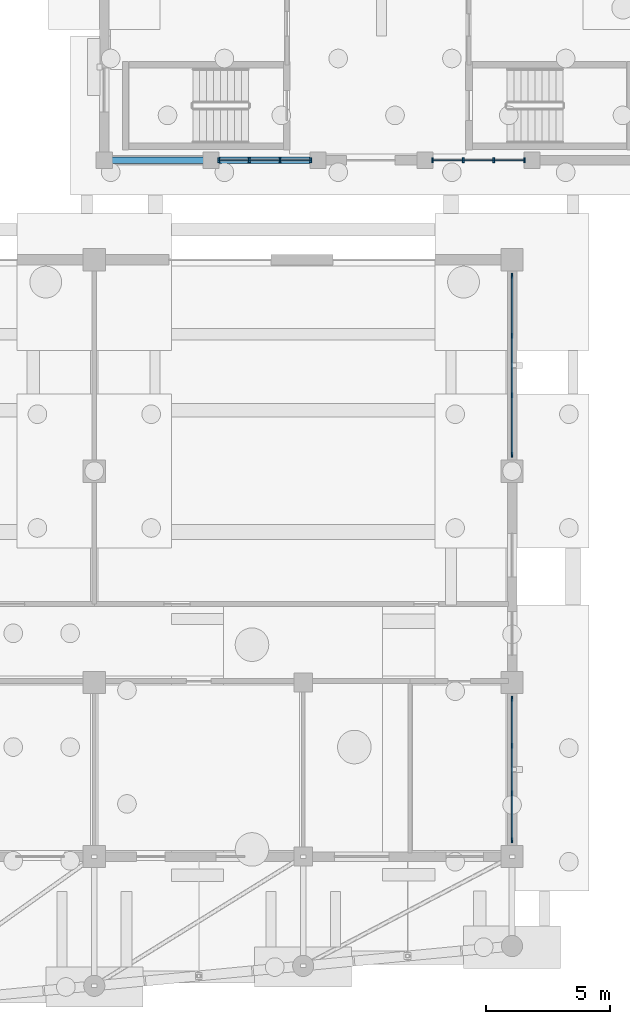
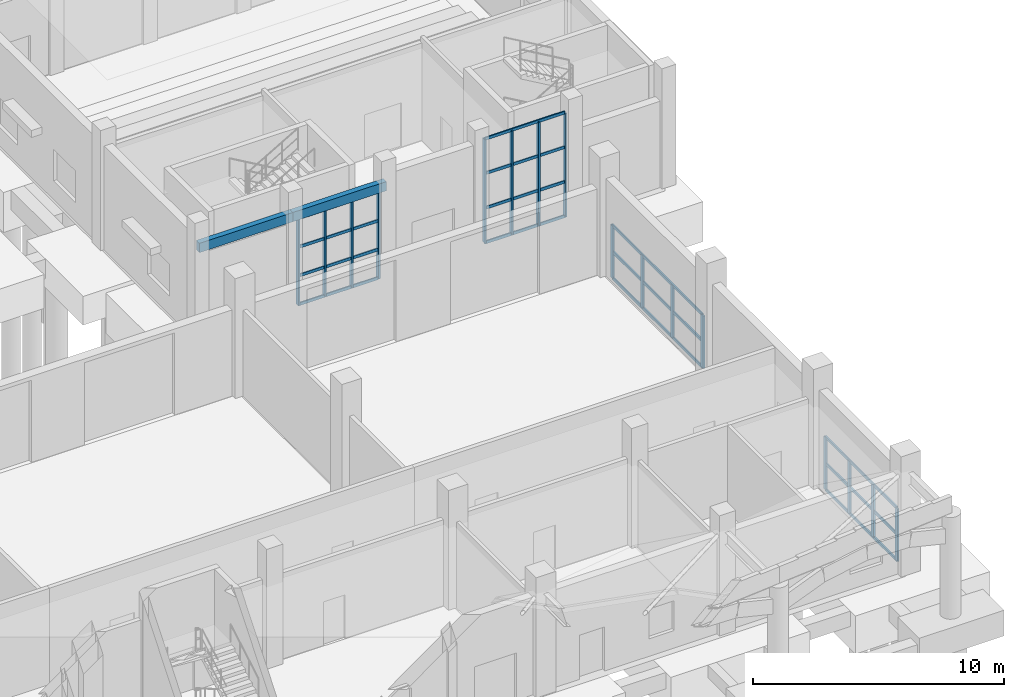
# One storey, part 19 of 60: 30 members, 2 beams, 4 elements without a shape of their own.
"""IFC4 building model written with IfcOpenShell, lengths in metres."""

import ifcopenshell
import ifcopenshell.guid

model = None  # the IFC model being written
_history = None  # IfcOwnerHistory: only IFC2X3 demands one
_inside = {}  # id of a spatial element -> (the spatial element, [elements in it])
_under = {}  # id of a project, library or spatial element -> (it, [spatial elements below it])
_declared = {}  # id of a project -> (the project, [libraries it declares])
_typed = {}  # id of a type object -> (the type object, [elements of that type])
_made_of = {}  # id of a material, layer set ... -> (it, [elements and type objects made of it])


def new_model(schema):
    """Start an empty IFC model of exactly this schema.

    Asked for "IFC4X3", IfcOpenShell would pick the latest addendum, in which some entities
    have other attributes; the version numbers below select the first issue.
    IFC2X3 requires an IfcOwnerHistory on every rooted entity: one is made here for all.
    """
    global model, _history
    if schema == "IFC4X3":
        model = ifcopenshell.file(schema_version=(4, 3, 0, 0))
    else:
        model = ifcopenshell.file(schema=schema)
    _inside.clear()
    _under.clear()
    _declared.clear()
    _typed.clear()
    _made_of.clear()
    _history = None
    if model.schema == "IFC2X3":
        org = make("IfcOrganization", Name="unknown")
        user = make(
            "IfcPersonAndOrganization",
            ThePerson=make("IfcPerson", FamilyName="unknown"),
            TheOrganization=org,
        )
        app = make(
            "IfcApplication",
            ApplicationDeveloper=org,
            Version="unknown",
            ApplicationFullName="unknown",
            ApplicationIdentifier="unknown",
        )
        _history = make(
            "IfcOwnerHistory",
            OwningUser=user,
            OwningApplication=app,
            ChangeAction="ADDED",
            CreationDate=0,
        )
    return model


def make(cls, **values):
    """One entity of the class cls with the attributes given. An attribute that is None is left unset."""
    return model.create_entity(
        cls, **{name: value for name, value in values.items() if value is not None}
    )


def rooted(cls, **values):
    """An entity with a GlobalId (a new one), such as an element, a storey or a relation."""
    return make(cls, GlobalId=ifcopenshell.guid.new(), OwnerHistory=_history, **values)


def si_unit(unit_type, name, prefix=None):
    """IfcSIUnit, for example si_unit("LENGTHUNIT", "METRE", prefix="MILLI")."""
    return make("IfcSIUnit", UnitType=unit_type, Prefix=prefix, Name=name)


def assignment(units):
    """IfcUnitAssignment: the units of a project."""
    return None if units is None else make("IfcUnitAssignment", Units=units)


def point(xyz):
    """IfcCartesianPoint."""
    return None if xyz is None else make("IfcCartesianPoint", Coordinates=xyz)


def direction(xyz):
    """IfcDirection."""
    return None if xyz is None else make("IfcDirection", DirectionRatios=xyz)


def frame(location, z_axis=None, x_axis=None):
    """IfcAxis2Placement3D, a coordinate frame: its origin and axes. An axis left out is left unset."""
    return make(
        "IfcAxis2Placement3D",
        Location=point(location),
        Axis=direction(z_axis),
        RefDirection=direction(x_axis),
    )


def frame_2d(location, x_axis=None):
    """IfcAxis2Placement2D, a coordinate frame in the plane: its origin and x axis."""
    return make(
        "IfcAxis2Placement2D", Location=point(location), RefDirection=direction(x_axis)
    )


def origin():
    """The frame at (0, 0, 0) with its axes left unset."""
    return frame((0.0, 0.0, 0.0))


def origin_2d():
    """The frame at (0, 0) in the plane with its x axis left unset."""
    return frame_2d((0.0, 0.0))


def place(relative_to, where):
    """IfcLocalPlacement: puts the frame where relative to a parent placement (None: the world)."""
    return make(
        "IfcLocalPlacement", PlacementRelTo=relative_to, RelativePlacement=where
    )


def context(
    kind, dimensions, precision=None, world=None, true_north=None, identifier=None
):
    """IfcGeometricRepresentationContext, for example the 3D "Model" context."""
    return make(
        "IfcGeometricRepresentationContext",
        ContextIdentifier=identifier,
        ContextType=kind,
        CoordinateSpaceDimension=dimensions,
        Precision=precision,
        WorldCoordinateSystem=world,
        TrueNorth=true_north,
    )


def subcontext(parent, identifier, kind, view, scale=None):
    """IfcGeometricRepresentationSubContext, for example "Body" below "Model"."""
    return make(
        "IfcGeometricRepresentationSubContext",
        ContextIdentifier=identifier,
        ContextType=kind,
        ParentContext=parent,
        TargetScale=scale,
        TargetView=view,
    )


def project(units=None, contexts=None):
    """IfcProject with its units and contexts."""
    return rooted(
        "IfcProject",
        Name="project",
        RepresentationContexts=contexts,
        UnitsInContext=assignment(units),
    )


def spatial(cls, under=None, at=None, **own):
    """A site, building, storey or space (cls), placed at a placement, below another one or the project."""
    s = rooted(cls, ObjectPlacement=at, **own)
    if under is not None:
        _under.setdefault(under.id(), (under, []))[1].append(s)
    return s


def profile(cls, at=None, kind="AREA", **sizes):
    """A parametric profile (cls). Its sizes go by their IFC names, for example OverallWidth=200.0."""
    return make(cls, ProfileType=kind, Position=at, **sizes)


def rectangle(**sizes):
    """IfcRectangleProfileDef."""
    return profile("IfcRectangleProfileDef", **sizes)


def extrude(swept, where, along, depth):
    """IfcExtrudedAreaSolid: the profile swept, set in the frame where, extruded along a direction by depth."""
    return make(
        "IfcExtrudedAreaSolid",
        SweptArea=swept,
        Position=where,
        ExtrudedDirection=direction(along),
        Depth=depth,
    )


def shape(context_of_items, identifier, shape_type, items):
    """IfcShapeRepresentation: the items that make up one representation, for example the "Body"."""
    return make(
        "IfcShapeRepresentation",
        ContextOfItems=context_of_items,
        RepresentationIdentifier=identifier,
        RepresentationType=shape_type,
        Items=items,
    )


def material(Name=None, Category=None):
    """IfcMaterial."""
    return make("IfcMaterial", Name=Name, Category=Category)


def layer(
    of_material, thickness, ventilated=None, Name=None, Category=None, Priority=None
):
    """IfcMaterialLayer: one layer of a wall or slab, of a material (None: an air gap)."""
    return make(
        "IfcMaterialLayer",
        Material=of_material,
        LayerThickness=thickness,
        IsVentilated=ventilated,
        Name=Name,
        Category=Category,
        Priority=Priority,
    )


def layer_set(layers, Name=None):
    """IfcMaterialLayerSet."""
    return make("IfcMaterialLayerSet", MaterialLayers=layers, LayerSetName=Name)


def material_profile(
    of_material, cross_section, Name=None, Category=None, Priority=None
):
    """IfcMaterialProfile: a cross section and its material."""
    return make(
        "IfcMaterialProfile",
        Name=Name,
        Material=of_material,
        Profile=cross_section,
        Priority=Priority,
        Category=Category,
    )


def profile_set(profiles, Name=None, composite=None):
    """IfcMaterialProfileSet."""
    return make(
        "IfcMaterialProfileSet",
        Name=Name,
        MaterialProfiles=profiles,
        CompositeProfile=composite,
    )


def made_of(thing, what):
    """Note that an element or type object is made of a material, layer set ...; save() writes the relation."""
    if what is not None:
        _made_of.setdefault(what.id(), (what, []))[1].append(thing)
    return thing


def type_object(cls, material=None, **own):
    """A type object (cls), such as IfcWallType, which elements share."""
    return made_of(rooted(cls, **own), material)


def element(
    cls,
    number,
    at=None,
    inside=None,
    cuts=None,
    type_object=None,
    material=None,
    context=None,
    identifier="Body",
    shape_type=None,
    held_by="IfcProductDefinitionShape",
    body=None,
    shapes=None,
    **own,
):
    """One element of the class cls, such as IfcWall. Its Tag is "e" and its number.

    at: its placement. inside: the storey or other place that contains it. cuts: it is an
    opening in that element (IfcRelVoidsElement). A single representation is given by context,
    identifier, shape_type and body (its items); several are given by shapes. held_by: the class
    of the entity that holds the representations. save() writes the other relations.
    """
    e = rooted(cls, Tag="e%d" % number, ObjectPlacement=at, **own)
    if body is not None:
        shapes = [shape(context, identifier, shape_type, body)]
    if shapes is not None:
        e.Representation = make(held_by, Representations=shapes)
    if inside is not None:
        _inside.setdefault(inside.id(), (inside, []))[1].append(e)
    if cuts is not None:
        rooted(
            "IfcRelVoidsElement", RelatingBuildingElement=cuts, RelatedOpeningElement=e
        )
    if type_object is not None:
        _typed.setdefault(type_object.id(), (type_object, []))[1].append(e)
    return made_of(e, material)


def aggregate(whole, parts):
    """IfcRelAggregates: a whole, such as a stair, and the parts it consists of."""
    return rooted("IfcRelAggregates", RelatingObject=whole, RelatedObjects=parts)


def save(model, path):
    """Write the relations noted so far, then the file.

    IfcRelAggregates (storeys below a building ...), IfcRelContainedInSpatialStructure (elements
    in a storey), IfcRelDefinesByType, IfcRelAssociatesMaterial and IfcRelDeclares: one each for
    every whole, place, type object, material and project.
    """
    for whole, parts in _under.values():
        aggregate(whole, parts)
    for where, things in _inside.values():
        rooted(
            "IfcRelContainedInSpatialStructure",
            RelatedElements=things,
            RelatingStructure=where,
        )
    for kind, things in _typed.values():
        rooted("IfcRelDefinesByType", RelatedObjects=things, RelatingType=kind)
    for what, things in _made_of.values():
        rooted("IfcRelAssociatesMaterial", RelatedObjects=things, RelatingMaterial=what)
    for by, libraries in _declared.values():
        rooted("IfcRelDeclares", RelatingContext=by, RelatedDefinitions=libraries)
    model.write(path)


model = new_model("IFC4")

# Units and contexts
model_context = context("Model", 3, precision=1e-05, world=origin(), true_north=direction((0.0, 1.0)))
body_context = subcontext(model_context, "Body", "Model", "MODEL_VIEW")
ifc_project = project(units=[si_unit("LENGTHUNIT", "METRE"), si_unit("AREAUNIT", "SQUARE_METRE"), si_unit("VOLUMEUNIT", "CUBIC_METRE"), si_unit("PLANEANGLEUNIT", "RADIAN"), si_unit("MASSUNIT", "GRAM", prefix="KILO")], contexts=[model_context])

# Site, building, storey
site_placement = place(None, origin())
site = spatial("IfcSite", under=ifc_project, at=site_placement, CompositionType="ELEMENT")
building_placement = place(site_placement, origin())
building = spatial("IfcBuilding", under=site, at=building_placement, Name="Trellovar Central Fire Station", CompositionType="ELEMENT")
storey_placement = place(building_placement, origin())
storey = spatial("IfcBuildingStorey", under=building, at=storey_placement, Name="L01", CompositionType="ELEMENT", Elevation=0.0)

# Beams
ifc_material_1 = material(Name="Concrete C40/50", Category="concrete")
ifc_material_profile_1 = material_profile(ifc_material_1, rectangle(XDim=0.25, YDim=0.449951171875, at=origin_2d()), Name="RC250X450")
ifc_profile_set_1 = profile_set([ifc_material_profile_1], Name="Concrete C40/50")
beam_type = type_object("IfcBeamType", Name="BM-LN2", PredefinedType="LINTEL", material=ifc_profile_set_1)
for number, where, z_axis, x_axis, name in (
    (1, (139.5, 37.0, 4.425048828125), (1.0, 0.0, 0.0), (0.0, 1.0, 0.0), "V3 foyer portal lintel 1"),
    (2, (143.800048828125, 37.0, 4.425048828125), (1.0, 0.0, 0.0), (0.0, 1.0, 0.0), "V3 foyer portal lintel 2"),
):
    element("IfcBeam", number, at=place(storey_placement, frame(where, z_axis=z_axis, x_axis=x_axis)), inside=storey, type_object=beam_type, Name=name, PredefinedType="LINTEL", context=body_context, shape_type="SweptSolid", body=[
        extrude(rectangle(XDim=0.25, YDim=0.449951171875, at=origin_2d()), origin(), (0.0, 0.0, 1.0), 4.300048828125),
    ])

# Curtain wall, members
ifc_material_2 = material(Name="Thermally broken bronze anodized aluminum", Category="aluminium")
ifc_layer_1 = layer(ifc_material_2, 0.159912109375)
ifc_layer_set_1 = layer_set([ifc_layer_1], Name="Thermally broken bronze anodized aluminum")
curtain_wall_type_1 = type_object("IfcCurtainWallType", Name="CW-01", PredefinedType="NOTDEFINED", material=ifc_layer_set_1)
curtain_wall_1_placement = place(storey_placement, origin())
curtain_wall_1 = element("IfcCurtainWall", 3, at=curtain_wall_1_placement, inside=storey, type_object=curtain_wall_type_1, Name="L01 curtain wall CW-1", PredefinedType="NOTDEFINED")
ifc_material_3 = material(Name="Thermally broken bronze anodized aluminum", Category="aluminium")
ifc_material_profile_2 = material_profile(ifc_material_3, rectangle(XDim=0.074951171875, YDim=0.199951171875, at=origin_2d()), Name="ALU75X200")
ifc_profile_set_2 = profile_set([ifc_material_profile_2], Name="Thermally broken bronze anodized aluminum")
member_type_1 = type_object("IfcMemberType", Name="CWM-1", PredefinedType="MULLION", material=ifc_profile_set_2)
member_1_placement = place(storey_placement, frame((155.89990234375, 9.64990234375, 0.0), z_axis=(0.0, 0.0, 1.0), x_axis=(1.0, 0.0, 0.0)))
member_1 = element("IfcMember", 4, at=member_1_placement, type_object=member_type_1, Name="CW3-L01-0057 mullion 1", PredefinedType="MULLION", context=body_context, shape_type="SweptSolid", body=[
    extrude(rectangle(XDim=0.074951171875, YDim=0.199951171875, at=origin_2d()), origin(), (0.0, 0.0, 1.0), 2.550048828125),
])
member_2_placement = place(storey_placement, frame((155.89990234375, 11.550048828125, 0.0), z_axis=(0.0, 0.0, 1.0), x_axis=(1.0, 0.0, 0.0)))
member_2 = element("IfcMember", 5, at=member_2_placement, type_object=member_type_1, Name="CW3-L01-0057 mullion 2", PredefinedType="MULLION", context=body_context, shape_type="SweptSolid", body=[
    extrude(rectangle(XDim=0.074951171875, YDim=0.199951171875, at=origin_2d()), origin(), (0.0, 0.0, 1.0), 2.550048828125),
])
member_3_placement = place(storey_placement, frame((155.89990234375, 13.449951171875, 0.0), z_axis=(0.0, 0.0, 1.0), x_axis=(1.0, 0.0, 0.0)))
member_3 = element("IfcMember", 6, at=member_3_placement, type_object=member_type_1, Name="CW3-L01-0057 mullion 3", PredefinedType="MULLION", context=body_context, shape_type="SweptSolid", body=[
    extrude(rectangle(XDim=0.074951171875, YDim=0.199951171875, at=origin_2d()), origin(), (0.0, 0.0, 1.0), 2.550048828125),
])
member_4_placement = place(storey_placement, frame((155.89990234375, 15.35009765625, 0.0), z_axis=(0.0, 0.0, 1.0), x_axis=(1.0, 0.0, 0.0)))
member_4 = element("IfcMember", 7, at=member_4_placement, type_object=member_type_1, Name="CW3-L01-0057 mullion 4", PredefinedType="MULLION", context=body_context, shape_type="SweptSolid", body=[
    extrude(rectangle(XDim=0.074951171875, YDim=0.199951171875, at=origin_2d()), origin(), (0.0, 0.0, 1.0), 2.550048828125),
])

curtain_wall_2_placement = place(storey_placement, origin())
curtain_wall_2 = element("IfcCurtainWall", 8, at=curtain_wall_2_placement, inside=storey, type_object=curtain_wall_type_1, Name="L01 curtain wall CW-1", PredefinedType="NOTDEFINED")
member_5_placement = place(storey_placement, frame((155.89990234375, 25.14990234375, 0.0), z_axis=(0.0, 0.0, 1.0), x_axis=(1.0, 0.0, 0.0)))
member_5 = element("IfcMember", 9, at=member_5_placement, type_object=member_type_1, Name="CW3-L01-0058 mullion 1", PredefinedType="MULLION", context=body_context, shape_type="SweptSolid", body=[
    extrude(rectangle(XDim=0.074951171875, YDim=0.199951171875, at=origin_2d()), origin(), (0.0, 0.0, 1.0), 2.550048828125),
])
member_6_placement = place(storey_placement, frame((155.89990234375, 27.550048828125, 0.0), z_axis=(0.0, 0.0, 1.0), x_axis=(1.0, 0.0, 0.0)))
member_6 = element("IfcMember", 10, at=member_6_placement, type_object=member_type_1, Name="CW3-L01-0058 mullion 2", PredefinedType="MULLION", context=body_context, shape_type="SweptSolid", body=[
    extrude(rectangle(XDim=0.074951171875, YDim=0.199951171875, at=origin_2d()), origin(), (0.0, 0.0, 1.0), 2.550048828125),
])
member_7_placement = place(storey_placement, frame((155.89990234375, 29.949951171875, 0.0), z_axis=(0.0, 0.0, 1.0), x_axis=(1.0, 0.0, 0.0)))
member_7 = element("IfcMember", 11, at=member_7_placement, type_object=member_type_1, Name="CW3-L01-0058 mullion 3", PredefinedType="MULLION", context=body_context, shape_type="SweptSolid", body=[
    extrude(rectangle(XDim=0.074951171875, YDim=0.199951171875, at=origin_2d()), origin(), (0.0, 0.0, 1.0), 2.550048828125),
])
member_8_placement = place(storey_placement, frame((155.89990234375, 32.35009765625, 0.0), z_axis=(0.0, 0.0, 1.0), x_axis=(1.0, 0.0, 0.0)))
member_8 = element("IfcMember", 12, at=member_8_placement, type_object=member_type_1, Name="CW3-L01-0058 mullion 4", PredefinedType="MULLION", context=body_context, shape_type="SweptSolid", body=[
    extrude(rectangle(XDim=0.074951171875, YDim=0.199951171875, at=origin_2d()), origin(), (0.0, 0.0, 1.0), 2.550048828125),
])

ifc_material_4 = material(Name="Thermally broken bronze anodized aluminum", Category="aluminium")
ifc_layer_2 = layer(ifc_material_4, 0.159912109375)
ifc_layer_set_2 = layer_set([ifc_layer_2], Name="Thermally broken bronze anodized aluminum")
curtain_wall_type_2 = type_object("IfcCurtainWallType", Name="CW-03", PredefinedType="NOTDEFINED", material=ifc_layer_set_2)
curtain_wall_3_placement = place(storey_placement, origin())
curtain_wall_3 = element("IfcCurtainWall", 13, at=curtain_wall_3_placement, inside=storey, type_object=curtain_wall_type_2, Name="L01 curtain wall CW-3", PredefinedType="NOTDEFINED")
member_9_placement = place(storey_placement, frame((144.10009765625, 37.0, 0.0), z_axis=(0.0, 0.0, 1.0), x_axis=(1.0, 0.0, 0.0)))
member_9 = element("IfcMember", 14, at=member_9_placement, type_object=member_type_1, Name="CW3-L01-0143 mullion 1", PredefinedType="MULLION", context=body_context, shape_type="SweptSolid", body=[
    extrude(rectangle(XDim=0.074951171875, YDim=0.199951171875, at=origin_2d()), origin(), (0.0, 0.0, 1.0), 4.18994140625),
])
member_10_placement = place(storey_placement, frame((145.333251953125, 37.0, 0.0), z_axis=(0.0, 0.0, 1.0), x_axis=(1.0, 0.0, 0.0)))
member_10 = element("IfcMember", 15, at=member_10_placement, type_object=member_type_1, Name="CW3-L01-0143 mullion 2", PredefinedType="MULLION", context=body_context, shape_type="SweptSolid", body=[
    extrude(rectangle(XDim=0.074951171875, YDim=0.199951171875, at=origin_2d()), origin(), (0.0, 0.0, 1.0), 4.18994140625),
])
member_11_placement = place(storey_placement, frame((146.566650390625, 37.0, 0.0), z_axis=(0.0, 0.0, 1.0), x_axis=(1.0, 0.0, 0.0)))
member_11 = element("IfcMember", 16, at=member_11_placement, type_object=member_type_1, Name="CW3-L01-0143 mullion 3", PredefinedType="MULLION", context=body_context, shape_type="SweptSolid", body=[
    extrude(rectangle(XDim=0.074951171875, YDim=0.199951171875, at=origin_2d()), origin(), (0.0, 0.0, 1.0), 4.18994140625),
])
member_12_placement = place(storey_placement, frame((147.800048828125, 37.0, 0.0), z_axis=(0.0, 0.0, 1.0), x_axis=(1.0, 0.0, 0.0)))
member_12 = element("IfcMember", 17, at=member_12_placement, type_object=member_type_1, Name="CW3-L01-0143 mullion 4", PredefinedType="MULLION", context=body_context, shape_type="SweptSolid", body=[
    extrude(rectangle(XDim=0.074951171875, YDim=0.199951171875, at=origin_2d()), origin(), (0.0, 0.0, 1.0), 4.18994140625),
])

curtain_wall_4_placement = place(storey_placement, origin())
curtain_wall_4 = element("IfcCurtainWall", 18, at=curtain_wall_4_placement, inside=storey, type_object=curtain_wall_type_2, Name="L01 curtain wall CW-3", PredefinedType="NOTDEFINED")
member_13_placement = place(storey_placement, frame((152.699951171875, 37.0, 0.0), z_axis=(0.0, 0.0, 1.0), x_axis=(1.0, 0.0, 0.0)))
member_13 = element("IfcMember", 19, at=member_13_placement, type_object=member_type_1, Name="CW3-L01-0146 mullion 1", PredefinedType="MULLION", context=body_context, shape_type="SweptSolid", body=[
    extrude(rectangle(XDim=0.074951171875, YDim=0.199951171875, at=origin_2d()), origin(), (0.0, 0.0, 1.0), 5.050048828125),
])
member_14_placement = place(storey_placement, frame((153.933349609375, 37.0, 0.0), z_axis=(0.0, 0.0, 1.0), x_axis=(1.0, 0.0, 0.0)))
member_14 = element("IfcMember", 20, at=member_14_placement, type_object=member_type_1, Name="CW3-L01-0146 mullion 2", PredefinedType="MULLION", context=body_context, shape_type="SweptSolid", body=[
    extrude(rectangle(XDim=0.074951171875, YDim=0.199951171875, at=origin_2d()), origin(), (0.0, 0.0, 1.0), 5.050048828125),
])
member_15_placement = place(storey_placement, frame((155.166748046875, 37.0, 0.0), z_axis=(0.0, 0.0, 1.0), x_axis=(1.0, 0.0, 0.0)))
member_15 = element("IfcMember", 21, at=member_15_placement, type_object=member_type_1, Name="CW3-L01-0146 mullion 3", PredefinedType="MULLION", context=body_context, shape_type="SweptSolid", body=[
    extrude(rectangle(XDim=0.074951171875, YDim=0.199951171875, at=origin_2d()), origin(), (0.0, 0.0, 1.0), 5.050048828125),
])
member_16_placement = place(storey_placement, frame((156.39990234375, 37.0, 0.0), z_axis=(0.0, 0.0, 1.0), x_axis=(1.0, 0.0, 0.0)))
member_16 = element("IfcMember", 22, at=member_16_placement, type_object=member_type_1, Name="CW3-L01-0146 mullion 4", PredefinedType="MULLION", context=body_context, shape_type="SweptSolid", body=[
    extrude(rectangle(XDim=0.074951171875, YDim=0.199951171875, at=origin_2d()), origin(), (0.0, 0.0, 1.0), 5.050048828125),
])

# Member
ifc_material_5 = material(Name="Thermally broken bronze anodized aluminum", Category="aluminium")
ifc_material_profile_3 = material_profile(ifc_material_5, rectangle(XDim=0.06005859375, YDim=0.139892578125, at=origin_2d()), Name="ALU60X140")
ifc_profile_set_3 = profile_set([ifc_material_profile_3], Name="Thermally broken bronze anodized aluminum")
member_type_2 = type_object("IfcMemberType", Name="CWT-1", PredefinedType="USERDEFINED", material=ifc_profile_set_3)
member_17_placement = place(storey_placement, frame((155.89990234375, 9.64990234375, 0.0), z_axis=(0.0, 1.0, 0.0), x_axis=(-1.0, 0.0, 0.0)))
member_17 = element("IfcMember", 23, at=member_17_placement, type_object=member_type_2, Name="CW3-L01-0057 transom 1", ObjectType="TRANSOM", PredefinedType="USERDEFINED", context=body_context, shape_type="SweptSolid", body=[
    extrude(rectangle(XDim=0.06005859375, YDim=0.139892578125, at=origin_2d()), origin(), (0.0, 0.0, 1.0), 5.7001953125),
])

member_18_placement = place(storey_placement, frame((155.89990234375, 9.64990234375, 1.27490234375), z_axis=(0.0, 1.0, 0.0), x_axis=(-1.0, 0.0, 0.0)))
member_18 = element("IfcMember", 24, at=member_18_placement, type_object=member_type_2, Name="CW3-L01-0057 transom 2", ObjectType="TRANSOM", PredefinedType="USERDEFINED", context=body_context, shape_type="SweptSolid", body=[
    extrude(rectangle(XDim=0.06005859375, YDim=0.139892578125, at=origin_2d()), origin(), (0.0, 0.0, 1.0), 5.7001953125),
])

member_19_placement = place(storey_placement, frame((155.89990234375, 9.64990234375, 2.550048828125), z_axis=(0.0, 1.0, 0.0), x_axis=(-1.0, 0.0, 0.0)))
member_19 = element("IfcMember", 25, at=member_19_placement, type_object=member_type_2, Name="CW3-L01-0057 transom 3", ObjectType="TRANSOM", PredefinedType="USERDEFINED", context=body_context, shape_type="SweptSolid", body=[
    extrude(rectangle(XDim=0.06005859375, YDim=0.139892578125, at=origin_2d()), origin(), (0.0, 0.0, 1.0), 5.7001953125),
])

aggregate(curtain_wall_1, [member_1, member_2, member_3, member_4, member_17, member_18, member_19])

member_20_placement = place(storey_placement, frame((155.89990234375, 25.14990234375, 0.0), z_axis=(0.0, 1.0, 0.0), x_axis=(-1.0, 0.0, 0.0)))
member_20 = element("IfcMember", 26, at=member_20_placement, type_object=member_type_2, Name="CW3-L01-0058 transom 1", ObjectType="TRANSOM", PredefinedType="USERDEFINED", context=body_context, shape_type="SweptSolid", body=[
    extrude(rectangle(XDim=0.06005859375, YDim=0.139892578125, at=origin_2d()), origin(), (0.0, 0.0, 1.0), 7.2001953125),
])

member_21_placement = place(storey_placement, frame((155.89990234375, 25.14990234375, 1.27490234375), z_axis=(0.0, 1.0, 0.0), x_axis=(-1.0, 0.0, 0.0)))
member_21 = element("IfcMember", 27, at=member_21_placement, type_object=member_type_2, Name="CW3-L01-0058 transom 2", ObjectType="TRANSOM", PredefinedType="USERDEFINED", context=body_context, shape_type="SweptSolid", body=[
    extrude(rectangle(XDim=0.06005859375, YDim=0.139892578125, at=origin_2d()), origin(), (0.0, 0.0, 1.0), 7.2001953125),
])

member_22_placement = place(storey_placement, frame((155.89990234375, 25.14990234375, 2.550048828125), z_axis=(0.0, 1.0, 0.0), x_axis=(-1.0, 0.0, 0.0)))
member_22 = element("IfcMember", 28, at=member_22_placement, type_object=member_type_2, Name="CW3-L01-0058 transom 3", ObjectType="TRANSOM", PredefinedType="USERDEFINED", context=body_context, shape_type="SweptSolid", body=[
    extrude(rectangle(XDim=0.06005859375, YDim=0.139892578125, at=origin_2d()), origin(), (0.0, 0.0, 1.0), 7.2001953125),
])

aggregate(curtain_wall_2, [member_5, member_6, member_7, member_8, member_20, member_21, member_22])

member_23_placement = place(storey_placement, frame((144.10009765625, 37.0, 0.0), z_axis=(1.0, 0.0, 0.0), x_axis=(0.0, 1.0, 0.0)))
member_23 = element("IfcMember", 29, at=member_23_placement, type_object=member_type_2, Name="CW3-L01-0143 transom 1", ObjectType="TRANSOM", PredefinedType="USERDEFINED", context=body_context, shape_type="SweptSolid", body=[
    extrude(rectangle(XDim=0.06005859375, YDim=0.139892578125, at=origin_2d()), origin(), (0.0, 0.0, 1.0), 3.699951171875),
])

member_24_placement = place(storey_placement, frame((144.10009765625, 37.0, 1.396728515625), z_axis=(1.0, 0.0, 0.0), x_axis=(0.0, 1.0, 0.0)))
member_24 = element("IfcMember", 30, at=member_24_placement, type_object=member_type_2, Name="CW3-L01-0143 transom 2", ObjectType="TRANSOM", PredefinedType="USERDEFINED", context=body_context, shape_type="SweptSolid", body=[
    extrude(rectangle(XDim=0.06005859375, YDim=0.139892578125, at=origin_2d()), origin(), (0.0, 0.0, 1.0), 3.699951171875),
])

member_25_placement = place(storey_placement, frame((144.10009765625, 37.0, 2.793212890625), z_axis=(1.0, 0.0, 0.0), x_axis=(0.0, 1.0, 0.0)))
member_25 = element("IfcMember", 31, at=member_25_placement, type_object=member_type_2, Name="CW3-L01-0143 transom 3", ObjectType="TRANSOM", PredefinedType="USERDEFINED", context=body_context, shape_type="SweptSolid", body=[
    extrude(rectangle(XDim=0.06005859375, YDim=0.139892578125, at=origin_2d()), origin(), (0.0, 0.0, 1.0), 3.699951171875),
])

member_26_placement = place(storey_placement, frame((144.10009765625, 37.0, 4.18994140625), z_axis=(1.0, 0.0, 0.0), x_axis=(0.0, 1.0, 0.0)))
member_26 = element("IfcMember", 32, at=member_26_placement, type_object=member_type_2, Name="CW3-L01-0143 transom 4", ObjectType="TRANSOM", PredefinedType="USERDEFINED", context=body_context, shape_type="SweptSolid", body=[
    extrude(rectangle(XDim=0.06005859375, YDim=0.139892578125, at=origin_2d()), origin(), (0.0, 0.0, 1.0), 3.699951171875),
])

aggregate(curtain_wall_3, [member_9, member_10, member_11, member_12, member_23, member_24, member_25, member_26])

member_27_placement = place(storey_placement, frame((152.699951171875, 37.0, 0.0), z_axis=(1.0, 0.0, 0.0), x_axis=(0.0, 1.0, 0.0)))
member_27 = element("IfcMember", 33, at=member_27_placement, type_object=member_type_2, Name="CW3-L01-0146 transom 1", ObjectType="TRANSOM", PredefinedType="USERDEFINED", context=body_context, shape_type="SweptSolid", body=[
    extrude(rectangle(XDim=0.06005859375, YDim=0.139892578125, at=origin_2d()), origin(), (0.0, 0.0, 1.0), 3.699951171875),
])

member_28_placement = place(storey_placement, frame((152.699951171875, 37.0, 1.683349609375), z_axis=(1.0, 0.0, 0.0), x_axis=(0.0, 1.0, 0.0)))
member_28 = element("IfcMember", 34, at=member_28_placement, type_object=member_type_2, Name="CW3-L01-0146 transom 2", ObjectType="TRANSOM", PredefinedType="USERDEFINED", context=body_context, shape_type="SweptSolid", body=[
    extrude(rectangle(XDim=0.06005859375, YDim=0.139892578125, at=origin_2d()), origin(), (0.0, 0.0, 1.0), 3.699951171875),
])

member_29_placement = place(storey_placement, frame((152.699951171875, 37.0, 3.36669921875), z_axis=(1.0, 0.0, 0.0), x_axis=(0.0, 1.0, 0.0)))
member_29 = element("IfcMember", 35, at=member_29_placement, type_object=member_type_2, Name="CW3-L01-0146 transom 3", ObjectType="TRANSOM", PredefinedType="USERDEFINED", context=body_context, shape_type="SweptSolid", body=[
    extrude(rectangle(XDim=0.06005859375, YDim=0.139892578125, at=origin_2d()), origin(), (0.0, 0.0, 1.0), 3.699951171875),
])

member_30_placement = place(storey_placement, frame((152.699951171875, 37.0, 5.050048828125), z_axis=(1.0, 0.0, 0.0), x_axis=(0.0, 1.0, 0.0)))
member_30 = element("IfcMember", 36, at=member_30_placement, type_object=member_type_2, Name="CW3-L01-0146 transom 4", ObjectType="TRANSOM", PredefinedType="USERDEFINED", context=body_context, shape_type="SweptSolid", body=[
    extrude(rectangle(XDim=0.06005859375, YDim=0.139892578125, at=origin_2d()), origin(), (0.0, 0.0, 1.0), 3.699951171875),
])

aggregate(curtain_wall_4, [member_13, member_14, member_15, member_16, member_27, member_28, member_29, member_30])

save(model, "model.ifc")
